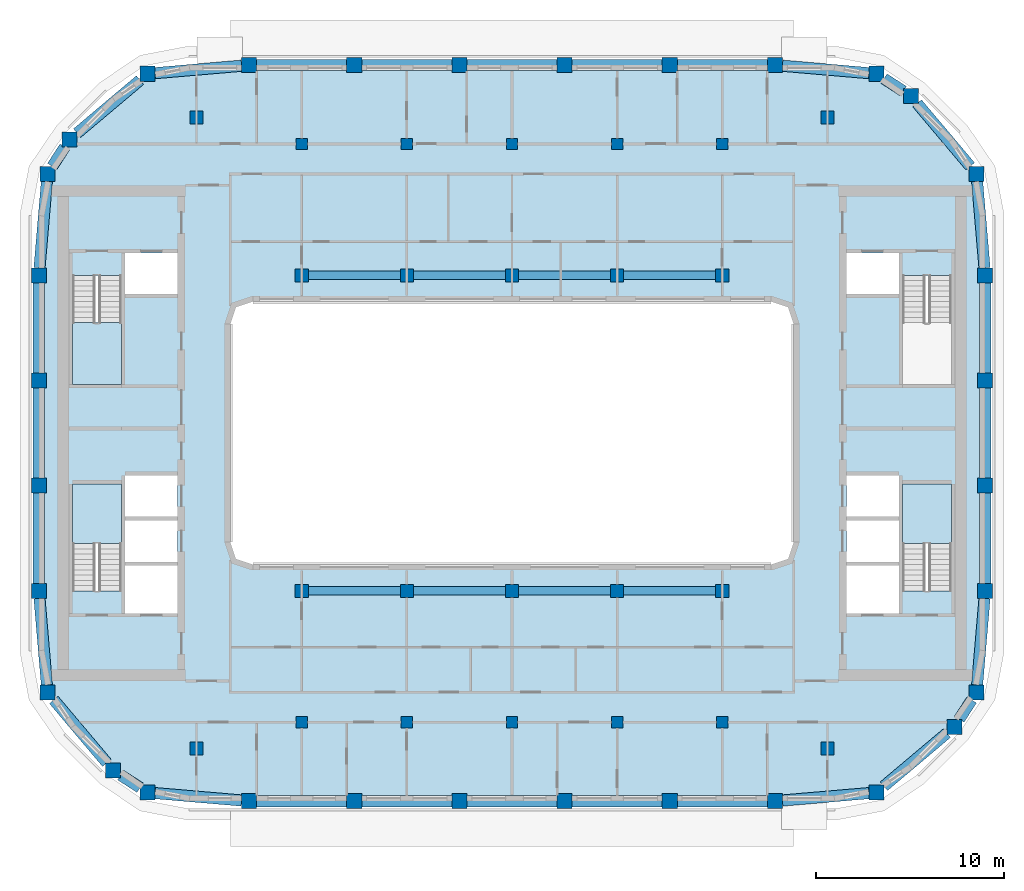
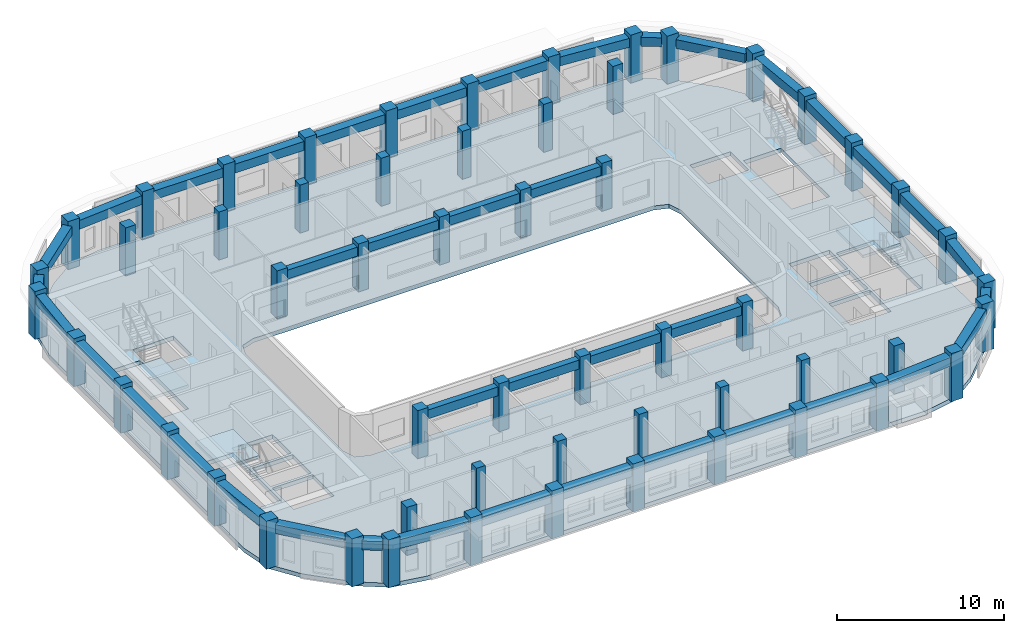
# One storey, part 1 of 16: 56 columns, 40 beams, 4 slabs, 3 elements without a shape of their own.
"""IFC4 building model written with IfcOpenShell, lengths in metres."""

from ifc_helpers import new_model, si_unit, direction, frame, origin, origin_2d, place, context, subcontext, project, spatial, polyline, rectangle, outline, extrude, material, layer, layer_set, material_profile, profile_set, type_object, element, aggregate, save


model = new_model("IFC4")

# Units and contexts
model_context = context("Model", 3, precision=1e-05, world=origin(), true_north=direction((0.0, 1.0)))
body_context = subcontext(model_context, "Body", "Model", "MODEL_VIEW")
ifc_project = project(units=[si_unit("LENGTHUNIT", "METRE"), si_unit("AREAUNIT", "SQUARE_METRE"), si_unit("VOLUMEUNIT", "CUBIC_METRE"), si_unit("PLANEANGLEUNIT", "RADIAN"), si_unit("MASSUNIT", "GRAM", prefix="KILO")], contexts=[model_context])

# Site, building, storey
site_placement = place(None, origin())
site = spatial("IfcSite", under=ifc_project, at=site_placement, CompositionType="ELEMENT")
building_placement = place(site_placement, origin())
building = spatial("IfcBuilding", under=site, at=building_placement, Name="Kiln Ring Residences", CompositionType="ELEMENT")
storey_placement = place(building_placement, frame((0.0, 0.0, 259.199951171875)))
storey = spatial("IfcBuildingStorey", under=building, at=storey_placement, Name="L67", CompositionType="ELEMENT", Elevation=259.199951171875)

# Columns
ifc_material_1 = material(Name="Concrete C60/75", Category="concrete")
ifc_material_profile_1 = material_profile(ifc_material_1, rectangle(XDim=0.60009765625, YDim=0.60009765625, at=origin_2d()), Name="RC600x600")
ifc_profile_set_1 = profile_set([ifc_material_profile_1], Name="Concrete C60/75")
column_type_1 = type_object("IfcColumnType", Name="Corridor column RC600x600 C60/75", PredefinedType="COLUMN", material=ifc_profile_set_1)
for number, where, z_axis, x_axis, name in (
    (1, (-11.199951171875, 15.39990234375, 0.0), (0.0, 0.0, 1.0), (1.0, 0.0, 0.0), "Corridor column L67 1"),
    (2, (-5.60009765625, 15.39990234375, 0.0), (0.0, 0.0, 1.0), (1.0, 0.0, 0.0), "Corridor column L67 2"),
    (3, (0.0, 15.39990234375, 0.0), (0.0, 0.0, 1.0), (1.0, 0.0, 0.0), "Corridor column L67 3"),
    (4, (5.60009765625, 15.39990234375, 0.0), (0.0, 0.0, 1.0), (1.0, 0.0, 0.0), "Corridor column L67 4"),
    (5, (11.199951171875, 15.39990234375, 0.0), (0.0, 0.0, 1.0), (1.0, 0.0, 0.0), "Corridor column L67 5"),
    (6, (-11.199951171875, -15.39990234375, 0.0), (0.0, 0.0, 1.0), (1.0, 0.0, 0.0), "Corridor column L67 6"),
    (7, (-5.60009765625, -15.39990234375, 0.0), (0.0, 0.0, 1.0), (1.0, 0.0, 0.0), "Corridor column L67 7"),
    (8, (0.0, -15.39990234375, 0.0), (0.0, 0.0, 1.0), (1.0, 0.0, 0.0), "Corridor column L67 8"),
    (9, (5.60009765625, -15.39990234375, 0.0), (0.0, 0.0, 1.0), (1.0, 0.0, 0.0), "Corridor column L67 9"),
    (10, (11.199951171875, -15.39990234375, 0.0), (0.0, 0.0, 1.0), (1.0, 0.0, 0.0), "Corridor column L67 10"),
):
    element("IfcColumn", number, at=place(storey_placement, frame(where, z_axis=z_axis, x_axis=x_axis)), inside=storey, type_object=column_type_1, Name=name, PredefinedType="COLUMN", context=body_context, shape_type="SweptSolid", body=[
        extrude(rectangle(XDim=0.60009765625, YDim=0.60009765625, at=origin_2d()), origin(), (0.0, 0.0, 1.0), 3.5),
    ])
ifc_material_2 = material(Name="Concrete C60/75", Category="concrete")
ifc_material_profile_2 = material_profile(ifc_material_2, rectangle(XDim=0.800048828125, YDim=0.800048828125, at=origin_2d()), Name="RC800x800")
ifc_profile_set_2 = profile_set([ifc_material_profile_2], Name="Concrete C60/75")
column_type_2 = type_object("IfcColumnType", Name="Perimeter column RC800x800 C60/75", PredefinedType="COLUMN", material=ifc_profile_set_2)
for number, where, z_axis, x_axis, name in (
    (11, (-19.40869140625, -19.13818359375, 0.0), (0.0, 0.0, 1.0), (1.0, 0.0, 0.0), "Perimeter column L67 1"),
    (12, (-14.0, -19.60009765625, 0.0), (0.0, 0.0, 1.0), (1.0, 0.0, 0.0), "Perimeter column L67 2"),
    (13, (-8.39990234375, -19.60009765625, 0.0), (0.0, 0.0, 1.0), (1.0, 0.0, 0.0), "Perimeter column L67 3"),
    (14, (-2.800048828125, -19.60009765625, 0.0), (0.0, 0.0, 1.0), (1.0, 0.0, 0.0), "Perimeter column L67 4"),
    (15, (2.800048828125, -19.60009765625, 0.0), (0.0, 0.0, 1.0), (1.0, 0.0, 0.0), "Perimeter column L67 5"),
    (16, (8.39990234375, -19.60009765625, 0.0), (0.0, 0.0, 1.0), (1.0, 0.0, 0.0), "Perimeter column L67 6"),
    (17, (14.0, -19.60009765625, 0.0), (0.0, 0.0, 1.0), (1.0, 0.0, 0.0), "Perimeter column L67 7"),
    (18, (19.40869140625, -19.13818359375, 0.0), (0.0, 0.0, 1.0), (1.0, 0.0, 0.0), "Perimeter column L67 8"),
    (19, (23.559814453125, -15.64013671875, 0.0), (0.0, 0.0, 1.0), (1.0, 0.0, 0.0), "Perimeter column L67 9"),
    (20, (24.738037109375, -13.80859375, 0.0), (0.0, 0.0, 1.0), (1.0, 0.0, 0.0), "Perimeter column L67 10"),
    (21, (25.199951171875, -8.39990234375, 0.0), (0.0, 0.0, 1.0), (1.0, 0.0, 0.0), "Perimeter column L67 11"),
    (22, (25.199951171875, -2.800048828125, 0.0), (0.0, 0.0, 1.0), (1.0, 0.0, 0.0), "Perimeter column L67 12"),
    (23, (25.199951171875, 2.800048828125, 0.0), (0.0, 0.0, 1.0), (1.0, 0.0, 0.0), "Perimeter column L67 13"),
    (24, (25.199951171875, 8.39990234375, 0.0), (0.0, 0.0, 1.0), (1.0, 0.0, 0.0), "Perimeter column L67 14"),
    (25, (24.738037109375, 13.80859375, 0.0), (0.0, 0.0, 1.0), (1.0, 0.0, 0.0), "Perimeter column L67 15"),
    (26, (21.240234375, 17.959716796875, 0.0), (0.0, 0.0, 1.0), (1.0, 0.0, 0.0), "Perimeter column L67 16"),
    (27, (19.40869140625, 19.13818359375, 0.0), (0.0, 0.0, 1.0), (1.0, 0.0, 0.0), "Perimeter column L67 17"),
    (28, (14.0, 19.60009765625, 0.0), (0.0, 0.0, 1.0), (1.0, 0.0, 0.0), "Perimeter column L67 18"),
    (29, (8.39990234375, 19.60009765625, 0.0), (0.0, 0.0, 1.0), (1.0, 0.0, 0.0), "Perimeter column L67 19"),
    (30, (2.800048828125, 19.60009765625, 0.0), (0.0, 0.0, 1.0), (1.0, 0.0, 0.0), "Perimeter column L67 20"),
    (31, (-2.800048828125, 19.60009765625, 0.0), (0.0, 0.0, 1.0), (1.0, 0.0, 0.0), "Perimeter column L67 21"),
    (32, (-8.39990234375, 19.60009765625, 0.0), (0.0, 0.0, 1.0), (1.0, 0.0, 0.0), "Perimeter column L67 22"),
    (33, (-14.0, 19.60009765625, 0.0), (0.0, 0.0, 1.0), (1.0, 0.0, 0.0), "Perimeter column L67 23"),
    (34, (-19.40869140625, 19.13818359375, 0.0), (0.0, 0.0, 1.0), (1.0, 0.0, 0.0), "Perimeter column L67 24"),
    (35, (-23.559814453125, 15.64013671875, 0.0), (0.0, 0.0, 1.0), (1.0, 0.0, 0.0), "Perimeter column L67 25"),
    (36, (-24.738037109375, 13.80859375, 0.0), (0.0, 0.0, 1.0), (1.0, 0.0, 0.0), "Perimeter column L67 26"),
    (37, (-25.199951171875, 8.39990234375, 0.0), (0.0, 0.0, 1.0), (1.0, 0.0, 0.0), "Perimeter column L67 27"),
    (38, (-25.199951171875, 2.800048828125, 0.0), (0.0, 0.0, 1.0), (1.0, 0.0, 0.0), "Perimeter column L67 28"),
    (39, (-25.199951171875, -2.800048828125, 0.0), (0.0, 0.0, 1.0), (1.0, 0.0, 0.0), "Perimeter column L67 29"),
    (40, (-25.199951171875, -8.39990234375, 0.0), (0.0, 0.0, 1.0), (1.0, 0.0, 0.0), "Perimeter column L67 30"),
    (41, (-24.738037109375, -13.80859375, 0.0), (0.0, 0.0, 1.0), (1.0, 0.0, 0.0), "Perimeter column L67 31"),
    (42, (-21.240234375, -17.959716796875, 0.0), (0.0, 0.0, 1.0), (1.0, 0.0, 0.0), "Perimeter column L67 32"),
):
    element("IfcColumn", number, at=place(storey_placement, frame(where, z_axis=z_axis, x_axis=x_axis)), inside=storey, type_object=column_type_2, Name=name, PredefinedType="COLUMN", context=body_context, shape_type="SweptSolid", body=[
        extrude(rectangle(XDim=0.800048828125, YDim=0.800048828125, at=origin_2d()), origin(), (0.0, 0.0, 1.0), 3.5),
    ])
ifc_material_3 = material(Name="Concrete C60/75", Category="concrete")
ifc_material_profile_3 = material_profile(ifc_material_3, rectangle(XDim=0.699951171875, YDim=0.699951171875, at=origin_2d()), Name="RC700x700")
ifc_profile_set_3 = profile_set([ifc_material_profile_3], Name="Concrete C60/75")
column_type_3 = type_object("IfcColumnType", Name="Ring column RC700x700 C60/75", PredefinedType="COLUMN", material=ifc_profile_set_3)
for number, where, z_axis, x_axis, name in (
    (43, (-16.800048828125, -16.800048828125, 0.0), (0.0, 0.0, 1.0), (1.0, 0.0, 0.0), "Ring column L67 1"),
    (44, (-16.800048828125, 16.800048828125, 0.0), (0.0, 0.0, 1.0), (1.0, 0.0, 0.0), "Ring column L67 2"),
    (45, (-11.199951171875, -8.39990234375, 0.0), (0.0, 0.0, 1.0), (1.0, 0.0, 0.0), "Ring column L67 3"),
    (46, (-11.199951171875, 8.39990234375, 0.0), (0.0, 0.0, 1.0), (1.0, 0.0, 0.0), "Ring column L67 4"),
    (47, (-5.60009765625, -8.39990234375, 0.0), (0.0, 0.0, 1.0), (1.0, 0.0, 0.0), "Ring column L67 5"),
    (48, (-5.60009765625, 8.39990234375, 0.0), (0.0, 0.0, 1.0), (1.0, 0.0, 0.0), "Ring column L67 6"),
    (49, (0.0, -8.39990234375, 0.0), (0.0, 0.0, 1.0), (1.0, 0.0, 0.0), "Ring column L67 7"),
    (50, (0.0, 8.39990234375, 0.0), (0.0, 0.0, 1.0), (1.0, 0.0, 0.0), "Ring column L67 8"),
    (51, (5.60009765625, -8.39990234375, 0.0), (0.0, 0.0, 1.0), (1.0, 0.0, 0.0), "Ring column L67 9"),
    (52, (5.60009765625, 8.39990234375, 0.0), (0.0, 0.0, 1.0), (1.0, 0.0, 0.0), "Ring column L67 10"),
    (53, (11.199951171875, -8.39990234375, 0.0), (0.0, 0.0, 1.0), (1.0, 0.0, 0.0), "Ring column L67 11"),
    (54, (11.199951171875, 8.39990234375, 0.0), (0.0, 0.0, 1.0), (1.0, 0.0, 0.0), "Ring column L67 12"),
    (55, (16.800048828125, -16.800048828125, 0.0), (0.0, 0.0, 1.0), (1.0, 0.0, 0.0), "Ring column L67 13"),
    (56, (16.800048828125, 16.800048828125, 0.0), (0.0, 0.0, 1.0), (1.0, 0.0, 0.0), "Ring column L67 14"),
):
    element("IfcColumn", number, at=place(storey_placement, frame(where, z_axis=z_axis, x_axis=x_axis)), inside=storey, type_object=column_type_3, Name=name, PredefinedType="COLUMN", context=body_context, shape_type="SweptSolid", body=[
        extrude(rectangle(XDim=0.699951171875, YDim=0.699951171875, at=origin_2d()), origin(), (0.0, 0.0, 1.0), 3.5),
    ])

# Beams
ifc_material_4 = material(Name="Concrete C50/60", Category="concrete")
ifc_material_profile_4 = material_profile(ifc_material_4, rectangle(XDim=0.449951171875, YDim=0.64990234375, at=origin_2d()), Name="RC450x650")
ifc_profile_set_4 = profile_set([ifc_material_profile_4], Name="Concrete C50/60")
beam_type_1 = type_object("IfcBeamType", Name="Ring beam RC450x650 C50/60", PredefinedType="BEAM", material=ifc_profile_set_4)
beam_1_placement = place(storey_placement, frame((-10.85009765625, -8.39990234375, 2.875), z_axis=(1.0, 0.0, 0.0), x_axis=(0.0, 1.0, 0.0)))
element("IfcBeam", 57, at=beam_1_placement, inside=storey, type_object=beam_type_1, Name="Ring beam L67 1", PredefinedType="BEAM", context=body_context, shape_type="SweptSolid", body=[
    extrude(rectangle(XDim=0.449951171875, YDim=0.64990234375, at=origin_2d()), origin(), (0.0, 0.0, 1.0), 4.900146484375),
])
for number, where, z_axis, x_axis, name in (
    (58, (-5.25, -8.39990234375, 2.875), (1.0, 0.0, 0.0), (0.0, 1.0, 0.0), "Ring beam L67 2"),
    (59, (0.35009765625, -8.39990234375, 2.875), (1.0, 0.0, 0.0), (0.0, 1.0, 0.0), "Ring beam L67 3"),
):
    element("IfcBeam", number, at=place(storey_placement, frame(where, z_axis=z_axis, x_axis=x_axis)), inside=storey, type_object=beam_type_1, Name=name, PredefinedType="BEAM", context=body_context, shape_type="SweptSolid", body=[
        extrude(rectangle(XDim=0.449951171875, YDim=0.64990234375, at=origin_2d()), origin(), (0.0, 0.0, 1.0), 4.89990234375),
    ])
for number, where, z_axis, x_axis, name in (
    (60, (5.949951171875, -8.39990234375, 2.875), (1.0, 0.0, 0.0), (0.0, 1.0, 0.0), "Ring beam L67 4"),
    (61, (-10.85009765625, 8.39990234375, 2.875), (1.0, 0.0, 0.0), (0.0, 1.0, 0.0), "Ring beam L67 5"),
):
    element("IfcBeam", number, at=place(storey_placement, frame(where, z_axis=z_axis, x_axis=x_axis)), inside=storey, type_object=beam_type_1, Name=name, PredefinedType="BEAM", context=body_context, shape_type="SweptSolid", body=[
        extrude(rectangle(XDim=0.449951171875, YDim=0.64990234375, at=origin_2d()), origin(), (0.0, 0.0, 1.0), 4.900146484375),
    ])
for number, where, z_axis, x_axis, name in (
    (62, (-5.25, 8.39990234375, 2.875), (1.0, 0.0, 0.0), (0.0, 1.0, 0.0), "Ring beam L67 6"),
    (63, (0.35009765625, 8.39990234375, 2.875), (1.0, 0.0, 0.0), (0.0, 1.0, 0.0), "Ring beam L67 7"),
):
    element("IfcBeam", number, at=place(storey_placement, frame(where, z_axis=z_axis, x_axis=x_axis)), inside=storey, type_object=beam_type_1, Name=name, PredefinedType="BEAM", context=body_context, shape_type="SweptSolid", body=[
        extrude(rectangle(XDim=0.449951171875, YDim=0.64990234375, at=origin_2d()), origin(), (0.0, 0.0, 1.0), 4.89990234375),
    ])
beam_2_placement = place(storey_placement, frame((5.949951171875, 8.39990234375, 2.875), z_axis=(1.0, 0.0, 0.0), x_axis=(0.0, 1.0, 0.0)))
element("IfcBeam", 64, at=beam_2_placement, inside=storey, type_object=beam_type_1, Name="Ring beam L67 8", PredefinedType="BEAM", context=body_context, shape_type="SweptSolid", body=[
    extrude(rectangle(XDim=0.449951171875, YDim=0.64990234375, at=origin_2d()), origin(), (0.0, 0.0, 1.0), 4.900146484375),
])
ifc_material_5 = material(Name="Concrete C50/60", Category="concrete")
ifc_material_profile_5 = material_profile(ifc_material_5, rectangle(XDim=0.60009765625, YDim=0.64990234375, at=origin_2d()), Name="RC600x650")
ifc_profile_set_5 = profile_set([ifc_material_profile_5], Name="Concrete C50/60")
beam_type_2 = type_object("IfcBeamType", Name="Spandrel beam RC600x650 C50/60", PredefinedType="SPANDREL", material=ifc_profile_set_5)
beam_3_placement = place(storey_placement, frame((-19.0087890625, -19.17236328125, 2.875), z_axis=(0.996374056639, -0.085080780766, 0.0), x_axis=(0.085080780766, 0.996374056639, 0.0)))
element("IfcBeam", 65, at=beam_3_placement, inside=storey, type_object=beam_type_2, Name="Spandrel beam L67 1", PredefinedType="SPANDREL", context=body_context, shape_type="SweptSolid", body=[
    extrude(rectangle(XDim=0.60009765625, YDim=0.64990234375, at=origin_2d()), origin(), (0.0, 0.0, 1.0), 4.625732421875),
])
for number, where, z_axis, x_axis, name in (
    (66, (-13.60009765625, -19.60009765625, 2.875), (1.0, 0.0, 0.0), (0.0, 1.0, 0.0), "Spandrel beam L67 2"),
    (67, (-8.0, -19.60009765625, 2.875), (1.0, 0.0, 0.0), (0.0, 1.0, 0.0), "Spandrel beam L67 3"),
):
    element("IfcBeam", number, at=place(storey_placement, frame(where, z_axis=z_axis, x_axis=x_axis)), inside=storey, type_object=beam_type_2, Name=name, PredefinedType="SPANDREL", context=body_context, shape_type="SweptSolid", body=[
        extrude(rectangle(XDim=0.60009765625, YDim=0.64990234375, at=origin_2d()), origin(), (0.0, 0.0, 1.0), 4.800048828125),
    ])
beam_4_placement = place(storey_placement, frame((-2.39990234375, -19.60009765625, 2.875), z_axis=(1.0, 0.0, 0.0), x_axis=(0.0, 1.0, 0.0)))
element("IfcBeam", 68, at=beam_4_placement, inside=storey, type_object=beam_type_2, Name="Spandrel beam L67 4", PredefinedType="SPANDREL", context=body_context, shape_type="SweptSolid", body=[
    extrude(rectangle(XDim=0.60009765625, YDim=0.64990234375, at=origin_2d()), origin(), (0.0, 0.0, 1.0), 4.7998046875),
])
for number, where, z_axis, x_axis, name in (
    (69, (3.199951171875, -19.60009765625, 2.875), (1.0, 0.0, 0.0), (0.0, 1.0, 0.0), "Spandrel beam L67 5"),
    (70, (8.800048828125, -19.60009765625, 2.875), (1.0, 0.0, 0.0), (0.0, 1.0, 0.0), "Spandrel beam L67 6"),
):
    element("IfcBeam", number, at=place(storey_placement, frame(where, z_axis=z_axis, x_axis=x_axis)), inside=storey, type_object=beam_type_2, Name=name, PredefinedType="SPANDREL", context=body_context, shape_type="SweptSolid", body=[
        extrude(rectangle(XDim=0.60009765625, YDim=0.64990234375, at=origin_2d()), origin(), (0.0, 0.0, 1.0), 4.800048828125),
    ])
beam_5_placement = place(storey_placement, frame((14.39990234375, -19.56591796875, 2.875), z_axis=(0.996374056639, 0.085080780766, 0.0), x_axis=(-0.085080780766, 0.996374056639, 0.0)))
element("IfcBeam", 71, at=beam_5_placement, inside=storey, type_object=beam_type_2, Name="Spandrel beam L67 7", PredefinedType="SPANDREL", context=body_context, shape_type="SweptSolid", body=[
    extrude(rectangle(XDim=0.60009765625, YDim=0.64990234375, at=origin_2d()), origin(), (0.0, 0.0, 1.0), 4.625732421875),
])
beam_6_placement = place(storey_placement, frame((19.80859375, -18.801025390625, 2.875), z_axis=(0.764734919154, 0.644345018936, 0.0), x_axis=(-0.644345018936, 0.764734919154, 0.0)))
element("IfcBeam", 72, at=beam_6_placement, inside=storey, type_object=beam_type_2, Name="Spandrel beam L67 8", PredefinedType="SPANDREL", context=body_context, shape_type="SweptSolid", body=[
    extrude(rectangle(XDim=0.60009765625, YDim=0.64990234375, at=origin_2d()), origin(), (0.0, 0.0, 1.0), 4.38232421875),
])
beam_7_placement = place(storey_placement, frame((23.817138671875, -15.240234375, 2.875), z_axis=(0.541029196589, 0.841003810002, 0.0), x_axis=(-0.841003810002, 0.541029196589, 0.0)))
element("IfcBeam", 73, at=beam_7_placement, inside=storey, type_object=beam_type_2, Name="Spandrel beam L67 9", PredefinedType="SPANDREL", context=body_context, shape_type="SweptSolid", body=[
    extrude(rectangle(XDim=0.60009765625, YDim=0.64990234375, at=origin_2d()), origin(), (0.0, 0.0, 1.0), 1.2265625),
])
beam_8_placement = place(storey_placement, frame((24.772216796875, -13.40869140625, 2.875), z_axis=(0.085085255251, 0.996373674551, 0.0), x_axis=(-0.996373674551, 0.085085255251, 0.0)))
element("IfcBeam", 74, at=beam_8_placement, inside=storey, type_object=beam_type_2, Name="Spandrel beam L67 10", PredefinedType="SPANDREL", context=body_context, shape_type="SweptSolid", body=[
    extrude(rectangle(XDim=0.60009765625, YDim=0.64990234375, at=origin_2d()), origin(), (0.0, 0.0, 1.0), 4.62548828125),
])
beam_9_placement = place(storey_placement, frame((25.199951171875, -8.0, 2.875), z_axis=(0.0, 1.0, 0.0), x_axis=(-1.0, 0.0, 0.0)))
element("IfcBeam", 75, at=beam_9_placement, inside=storey, type_object=beam_type_2, Name="Spandrel beam L67 11", PredefinedType="SPANDREL", context=body_context, shape_type="SweptSolid", body=[
    extrude(rectangle(XDim=0.60009765625, YDim=0.64990234375, at=origin_2d()), origin(), (0.0, 0.0, 1.0), 4.800048828125),
])
beam_10_placement = place(storey_placement, frame((25.199951171875, -2.39990234375, 2.875), z_axis=(0.0, 1.0, 0.0), x_axis=(-1.0, 0.0, 0.0)))
element("IfcBeam", 76, at=beam_10_placement, inside=storey, type_object=beam_type_2, Name="Spandrel beam L67 12", PredefinedType="SPANDREL", context=body_context, shape_type="SweptSolid", body=[
    extrude(rectangle(XDim=0.60009765625, YDim=0.64990234375, at=origin_2d()), origin(), (0.0, 0.0, 1.0), 4.7998046875),
])
beam_11_placement = place(storey_placement, frame((25.199951171875, 3.199951171875, 2.875), z_axis=(0.0, 1.0, 0.0), x_axis=(-1.0, 0.0, 0.0)))
element("IfcBeam", 77, at=beam_11_placement, inside=storey, type_object=beam_type_2, Name="Spandrel beam L67 13", PredefinedType="SPANDREL", context=body_context, shape_type="SweptSolid", body=[
    extrude(rectangle(XDim=0.60009765625, YDim=0.64990234375, at=origin_2d()), origin(), (0.0, 0.0, 1.0), 4.800048828125),
])
beam_12_placement = place(storey_placement, frame((25.165771484375, 8.800048828125, 2.875), z_axis=(-0.085085255251, 0.996373674551, 0.0), x_axis=(-0.996373674551, -0.085085255251, 0.0)))
element("IfcBeam", 78, at=beam_12_placement, inside=storey, type_object=beam_type_2, Name="Spandrel beam L67 14", PredefinedType="SPANDREL", context=body_context, shape_type="SweptSolid", body=[
    extrude(rectangle(XDim=0.60009765625, YDim=0.64990234375, at=origin_2d()), origin(), (0.0, 0.0, 1.0), 4.62548828125),
])
beam_13_placement = place(storey_placement, frame((24.401123046875, 14.208740234375, 2.875), z_axis=(-0.644405049218, 0.764684335227, 0.0), x_axis=(-0.764684335227, -0.644405049218, 0.0)))
element("IfcBeam", 79, at=beam_13_placement, inside=storey, type_object=beam_type_2, Name="Spandrel beam L67 15", PredefinedType="SPANDREL", context=body_context, shape_type="SweptSolid", body=[
    extrude(rectangle(XDim=0.60009765625, YDim=0.64990234375, at=origin_2d()), origin(), (0.0, 0.0, 1.0), 4.38232421875),
])
beam_14_placement = place(storey_placement, frame((20.840087890625, 18.217041015625, 2.875), z_axis=(-0.840913236818, 0.541169962345, 0.0), x_axis=(-0.541169962345, -0.840913236818, 0.0)))
element("IfcBeam", 80, at=beam_14_placement, inside=storey, type_object=beam_type_2, Name="Spandrel beam L67 16", PredefinedType="SPANDREL", context=body_context, shape_type="SweptSolid", body=[
    extrude(rectangle(XDim=0.60009765625, YDim=0.64990234375, at=origin_2d()), origin(), (0.0, 0.0, 1.0), 1.2265625),
])
beam_15_placement = place(storey_placement, frame((19.0087890625, 19.17236328125, 2.875), z_axis=(-0.996374056639, 0.085080780766, 0.0), x_axis=(-0.085080780766, -0.996374056639, 0.0)))
element("IfcBeam", 81, at=beam_15_placement, inside=storey, type_object=beam_type_2, Name="Spandrel beam L67 17", PredefinedType="SPANDREL", context=body_context, shape_type="SweptSolid", body=[
    extrude(rectangle(XDim=0.60009765625, YDim=0.64990234375, at=origin_2d()), origin(), (0.0, 0.0, 1.0), 4.625732421875),
])
for number, where, z_axis, x_axis, name in (
    (82, (13.60009765625, 19.60009765625, 2.875), (-1.0, 0.0, 0.0), (0.0, -1.0, 0.0), "Spandrel beam L67 18"),
    (83, (8.0, 19.60009765625, 2.875), (-1.0, 0.0, 0.0), (0.0, -1.0, 0.0), "Spandrel beam L67 19"),
):
    element("IfcBeam", number, at=place(storey_placement, frame(where, z_axis=z_axis, x_axis=x_axis)), inside=storey, type_object=beam_type_2, Name=name, PredefinedType="SPANDREL", context=body_context, shape_type="SweptSolid", body=[
        extrude(rectangle(XDim=0.60009765625, YDim=0.64990234375, at=origin_2d()), origin(), (0.0, 0.0, 1.0), 4.800048828125),
    ])
beam_16_placement = place(storey_placement, frame((2.39990234375, 19.60009765625, 2.875), z_axis=(-1.0, 0.0, 0.0), x_axis=(0.0, -1.0, 0.0)))
element("IfcBeam", 84, at=beam_16_placement, inside=storey, type_object=beam_type_2, Name="Spandrel beam L67 20", PredefinedType="SPANDREL", context=body_context, shape_type="SweptSolid", body=[
    extrude(rectangle(XDim=0.60009765625, YDim=0.64990234375, at=origin_2d()), origin(), (0.0, 0.0, 1.0), 4.7998046875),
])
for number, where, z_axis, x_axis, name in (
    (85, (-3.199951171875, 19.60009765625, 2.875), (-1.0, 0.0, 0.0), (0.0, -1.0, 0.0), "Spandrel beam L67 21"),
    (86, (-8.800048828125, 19.60009765625, 2.875), (-1.0, 0.0, 0.0), (0.0, -1.0, 0.0), "Spandrel beam L67 22"),
):
    element("IfcBeam", number, at=place(storey_placement, frame(where, z_axis=z_axis, x_axis=x_axis)), inside=storey, type_object=beam_type_2, Name=name, PredefinedType="SPANDREL", context=body_context, shape_type="SweptSolid", body=[
        extrude(rectangle(XDim=0.60009765625, YDim=0.64990234375, at=origin_2d()), origin(), (0.0, 0.0, 1.0), 4.800048828125),
    ])
beam_17_placement = place(storey_placement, frame((-14.39990234375, 19.56591796875, 2.875), z_axis=(-0.996374056639, -0.085080780766, 0.0), x_axis=(0.085080780766, -0.996374056639, 0.0)))
element("IfcBeam", 87, at=beam_17_placement, inside=storey, type_object=beam_type_2, Name="Spandrel beam L67 23", PredefinedType="SPANDREL", context=body_context, shape_type="SweptSolid", body=[
    extrude(rectangle(XDim=0.60009765625, YDim=0.64990234375, at=origin_2d()), origin(), (0.0, 0.0, 1.0), 4.625732421875),
])
beam_18_placement = place(storey_placement, frame((-19.80859375, 18.801025390625, 2.875), z_axis=(-0.764734919154, -0.644345018936, 0.0), x_axis=(0.644345018936, -0.764734919154, 0.0)))
element("IfcBeam", 88, at=beam_18_placement, inside=storey, type_object=beam_type_2, Name="Spandrel beam L67 24", PredefinedType="SPANDREL", context=body_context, shape_type="SweptSolid", body=[
    extrude(rectangle(XDim=0.60009765625, YDim=0.64990234375, at=origin_2d()), origin(), (0.0, 0.0, 1.0), 4.38232421875),
])
beam_19_placement = place(storey_placement, frame((-23.817138671875, 15.240234375, 2.875), z_axis=(-0.541029196589, -0.841003810002, 0.0), x_axis=(0.841003810002, -0.541029196589, 0.0)))
element("IfcBeam", 89, at=beam_19_placement, inside=storey, type_object=beam_type_2, Name="Spandrel beam L67 25", PredefinedType="SPANDREL", context=body_context, shape_type="SweptSolid", body=[
    extrude(rectangle(XDim=0.60009765625, YDim=0.64990234375, at=origin_2d()), origin(), (0.0, 0.0, 1.0), 1.2265625),
])
beam_20_placement = place(storey_placement, frame((-24.772216796875, 13.40869140625, 2.875), z_axis=(-0.085085255251, -0.996373674551, 0.0), x_axis=(0.996373674551, -0.085085255251, 0.0)))
element("IfcBeam", 90, at=beam_20_placement, inside=storey, type_object=beam_type_2, Name="Spandrel beam L67 26", PredefinedType="SPANDREL", context=body_context, shape_type="SweptSolid", body=[
    extrude(rectangle(XDim=0.60009765625, YDim=0.64990234375, at=origin_2d()), origin(), (0.0, 0.0, 1.0), 4.62548828125),
])
beam_21_placement = place(storey_placement, frame((-25.199951171875, 8.0, 2.875), z_axis=(0.0, -1.0, 0.0), x_axis=(1.0, 0.0, 0.0)))
element("IfcBeam", 91, at=beam_21_placement, inside=storey, type_object=beam_type_2, Name="Spandrel beam L67 27", PredefinedType="SPANDREL", context=body_context, shape_type="SweptSolid", body=[
    extrude(rectangle(XDim=0.60009765625, YDim=0.64990234375, at=origin_2d()), origin(), (0.0, 0.0, 1.0), 4.800048828125),
])
beam_22_placement = place(storey_placement, frame((-25.199951171875, 2.39990234375, 2.875), z_axis=(0.0, -1.0, 0.0), x_axis=(1.0, 0.0, 0.0)))
element("IfcBeam", 92, at=beam_22_placement, inside=storey, type_object=beam_type_2, Name="Spandrel beam L67 28", PredefinedType="SPANDREL", context=body_context, shape_type="SweptSolid", body=[
    extrude(rectangle(XDim=0.60009765625, YDim=0.64990234375, at=origin_2d()), origin(), (0.0, 0.0, 1.0), 4.7998046875),
])
beam_23_placement = place(storey_placement, frame((-25.199951171875, -3.199951171875, 2.875), z_axis=(0.0, -1.0, 0.0), x_axis=(1.0, 0.0, 0.0)))
element("IfcBeam", 93, at=beam_23_placement, inside=storey, type_object=beam_type_2, Name="Spandrel beam L67 29", PredefinedType="SPANDREL", context=body_context, shape_type="SweptSolid", body=[
    extrude(rectangle(XDim=0.60009765625, YDim=0.64990234375, at=origin_2d()), origin(), (0.0, 0.0, 1.0), 4.800048828125),
])
beam_24_placement = place(storey_placement, frame((-25.165771484375, -8.800048828125, 2.875), z_axis=(0.085085255251, -0.996373674551, 0.0), x_axis=(0.996373674551, 0.085085255251, 0.0)))
element("IfcBeam", 94, at=beam_24_placement, inside=storey, type_object=beam_type_2, Name="Spandrel beam L67 30", PredefinedType="SPANDREL", context=body_context, shape_type="SweptSolid", body=[
    extrude(rectangle(XDim=0.60009765625, YDim=0.64990234375, at=origin_2d()), origin(), (0.0, 0.0, 1.0), 4.62548828125),
])
beam_25_placement = place(storey_placement, frame((-24.401123046875, -14.208740234375, 2.875), z_axis=(0.644405049218, -0.764684335227, 0.0), x_axis=(0.764684335227, 0.644405049218, 0.0)))
element("IfcBeam", 95, at=beam_25_placement, inside=storey, type_object=beam_type_2, Name="Spandrel beam L67 31", PredefinedType="SPANDREL", context=body_context, shape_type="SweptSolid", body=[
    extrude(rectangle(XDim=0.60009765625, YDim=0.64990234375, at=origin_2d()), origin(), (0.0, 0.0, 1.0), 4.38232421875),
])
beam_26_placement = place(storey_placement, frame((-20.840087890625, -18.217041015625, 2.875), z_axis=(0.840913236818, -0.541169962345, 0.0), x_axis=(0.541169962345, 0.840913236818, 0.0)))
element("IfcBeam", 96, at=beam_26_placement, inside=storey, type_object=beam_type_2, Name="Spandrel beam L67 32", PredefinedType="SPANDREL", context=body_context, shape_type="SweptSolid", body=[
    extrude(rectangle(XDim=0.60009765625, YDim=0.64990234375, at=origin_2d()), origin(), (0.0, 0.0, 1.0), 1.2265625),
])

# Stair, slab
ifc_material_6 = material(Name="Concrete C40/50", Category="concrete")
stair_type = type_object("IfcStairType", Name="CORE-STAIR", PredefinedType="HALF_TURN_STAIR", material=ifc_material_6)
placement_1 = place(storey_placement, origin())
stair_1 = element("IfcStair", 97, at=placement_1, inside=storey, type_object=stair_type, Name="L67 stair W-STN", PredefinedType="HALF_TURN_STAIR")
ifc_material_7 = material(Name="Concrete C40/50", Category="concrete")
ifc_layer_1 = layer(ifc_material_7, 0.199951171875)
ifc_layer_set_1 = layer_set([ifc_layer_1], Name="CORE-STAIR-LANDING")
slab_type_1 = type_object("IfcSlabType", Name="CORE-STAIR-LANDING", PredefinedType="LANDING", material=ifc_layer_set_1)
placement_2 = place(storey_placement, frame((0.0, 0.0, 1.550048828125)))
slab_1 = element("IfcSlab", 98, at=placement_2, type_object=slab_type_1, Name="W-STN landing 1", PredefinedType="LANDING", context=body_context, shape_type="SweptSolid", body=[
    extrude(outline(polyline([(-23.39990234375, 5.8798828125), (-23.39990234375, 2.60009765625), (-20.800048828125, 2.60009765625), (-20.800048828125, 5.8798828125), (-23.39990234375, 5.8798828125)])), origin(), (0.0, 0.0, 1.0), 0.199951171875),
])
aggregate(stair_1, [slab_1])

stair_2 = element("IfcStair", 99, at=placement_1, inside=storey, type_object=stair_type, Name="L67 stair W-STS", PredefinedType="HALF_TURN_STAIR")
slab_2 = element("IfcSlab", 100, at=placement_2, type_object=slab_type_1, Name="W-STS landing 1", PredefinedType="LANDING", context=body_context, shape_type="SweptSolid", body=[
    extrude(outline(polyline([(-20.800048828125, -5.8798828125), (-20.800048828125, -2.699951171875), (-23.39990234375, -2.699951171875), (-23.39990234375, -5.8798828125), (-20.800048828125, -5.8798828125)])), origin(), (0.0, 0.0, 1.0), 0.199951171875),
])
aggregate(stair_2, [slab_2])

stair_3 = element("IfcStair", 101, at=placement_1, inside=storey, type_object=stair_type, Name="L67 stair E-STS", PredefinedType="HALF_TURN_STAIR")
slab_3 = element("IfcSlab", 102, at=placement_2, type_object=slab_type_1, Name="E-STS landing 1", PredefinedType="LANDING", context=body_context, shape_type="SweptSolid", body=[
    extrude(outline(polyline([(23.39990234375, -5.8798828125), (23.39990234375, -2.699951171875), (20.800048828125, -2.699951171875), (20.800048828125, -5.8798828125), (23.39990234375, -5.8798828125)])), origin(), (0.0, 0.0, 1.0), 0.199951171875),
])
aggregate(stair_3, [slab_3])

# Slab
ifc_material_8 = material(Name="Concrete C40/50", Category="concrete")
ifc_layer_2 = layer(ifc_material_8, 0.300048828125)
ifc_layer_set_2 = layer_set([ifc_layer_2], Name="Floor slab 300")
slab_type_2 = type_object("IfcSlabType", Name="Floor slab 300", PredefinedType="FLOOR", material=ifc_layer_set_2)
slab_4_placement = place(storey_placement, frame((0.0, 0.0, -0.300048828125)))
element("IfcSlab", 103, at=slab_4_placement, inside=storey, type_object=slab_type_2, Name="Floor slab L67 1", PredefinedType="FLOOR", context=body_context, shape_type="SweptSolid", body=[
    extrude(outline(polyline([(-23.5029296875, -15.697021484375), (-21.297119140625, -17.90283203125), (-19.42431640625, -19.17578125), (-17.199951171875, -19.60009765625), (17.199951171875, -19.60009765625), (19.42431640625, -19.17578125), (21.297119140625, -17.90283203125), (23.5029296875, -15.697021484375), (24.775634765625, -13.82421875), (25.199951171875, -11.60009765625), (25.199951171875, 11.60009765625), (24.775634765625, 13.82421875), (23.5029296875, 15.697021484375), (21.297119140625, 17.90283203125), (19.42431640625, 19.17578125), (17.199951171875, 19.60009765625), (-17.199951171875, 19.60009765625), (-19.42431640625, 19.17578125), (-21.297119140625, 17.90283203125), (-23.5029296875, 15.697021484375), (-24.775634765625, 13.82421875), (-25.199951171875, 11.60009765625), (-25.199951171875, -11.60009765625), (-24.775634765625, -13.82421875), (-23.5029296875, -15.697021484375)]), holes=[polyline([(-14.699951171875, -6.699951171875), (-15.0, -5.800048828125), (-15.0, 5.800048828125), (-14.699951171875, 6.699951171875), (-13.800048828125, 7.0), (13.800048828125, 7.0), (14.699951171875, 6.699951171875), (15.0, 5.800048828125), (15.0, -5.800048828125), (14.699951171875, -6.699951171875), (13.800048828125, -7.0), (-13.800048828125, -7.0), (-14.699951171875, -6.699951171875)]), polyline([(20.800048828125, -8.39794921875), (20.800048828125, -2.699951171875), (23.39990234375, -2.699951171875), (23.39990234375, -8.39794921875), (20.800048828125, -8.39794921875)]), polyline([(20.800048828125, 2.60009765625), (20.800048828125, 8.39794921875), (23.39990234375, 8.39794921875), (23.39990234375, 2.60009765625), (20.800048828125, 2.60009765625)]), polyline([(17.800048828125, -6.85009765625), (17.800048828125, -4.64990234375), (20.60009765625, -4.64990234375), (20.60009765625, -6.85009765625), (17.800048828125, -6.85009765625)]), polyline([(17.800048828125, 7.39990234375), (17.800048828125, 9.60009765625), (20.60009765625, 9.60009765625), (20.60009765625, 7.39990234375), (17.800048828125, 7.39990234375)]), polyline([(20.60009765625, -9.60009765625), (17.800048828125, -9.60009765625), (17.800048828125, -7.050048828125), (20.60009765625, -7.050048828125), (20.60009765625, -9.60009765625)]), polyline([(20.60009765625, -4.449951171875), (17.800048828125, -4.449951171875), (17.800048828125, -2.25), (20.60009765625, -2.25), (20.60009765625, -4.449951171875)]), polyline([(-17.800048828125, -7.050048828125), (-17.800048828125, -9.60009765625), (-20.60009765625, -9.60009765625), (-20.60009765625, -7.050048828125), (-17.800048828125, -7.050048828125)]), polyline([(-17.800048828125, -6.85009765625), (-20.60009765625, -6.85009765625), (-20.60009765625, -4.64990234375), (-17.800048828125, -4.64990234375), (-17.800048828125, -6.85009765625)]), polyline([(-17.800048828125, -2.25), (-17.800048828125, -4.449951171875), (-20.60009765625, -4.449951171875), (-20.60009765625, -2.25), (-17.800048828125, -2.25)]), polyline([(-17.800048828125, 7.39990234375), (-20.60009765625, 7.39990234375), (-20.60009765625, 9.60009765625), (-17.800048828125, 9.60009765625), (-17.800048828125, 7.39990234375)]), polyline([(-20.800048828125, -8.39794921875), (-23.39990234375, -8.39794921875), (-23.39990234375, -2.699951171875), (-20.800048828125, -2.699951171875), (-20.800048828125, -8.39794921875)]), polyline([(-20.800048828125, 2.60009765625), (-23.39990234375, 2.60009765625), (-23.39990234375, 8.39794921875), (-20.800048828125, 8.39794921875), (-20.800048828125, 2.60009765625)])]), origin(), (0.0, 0.0, 1.0), 0.300048828125),
])

save(model, "model.ifc")
